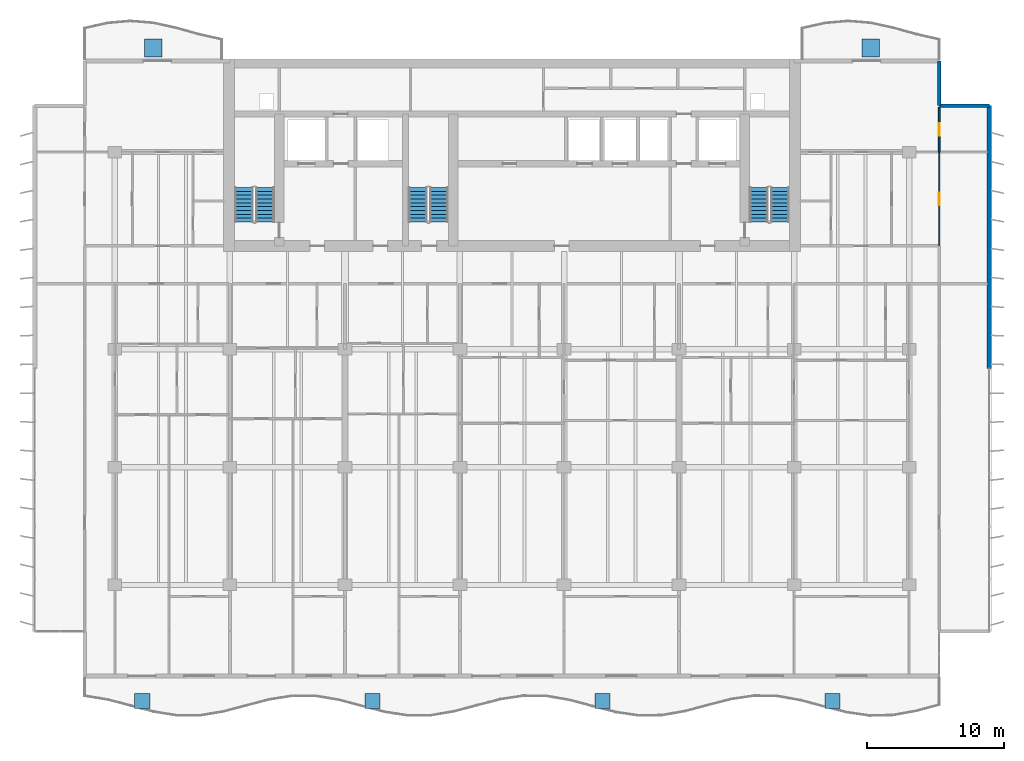
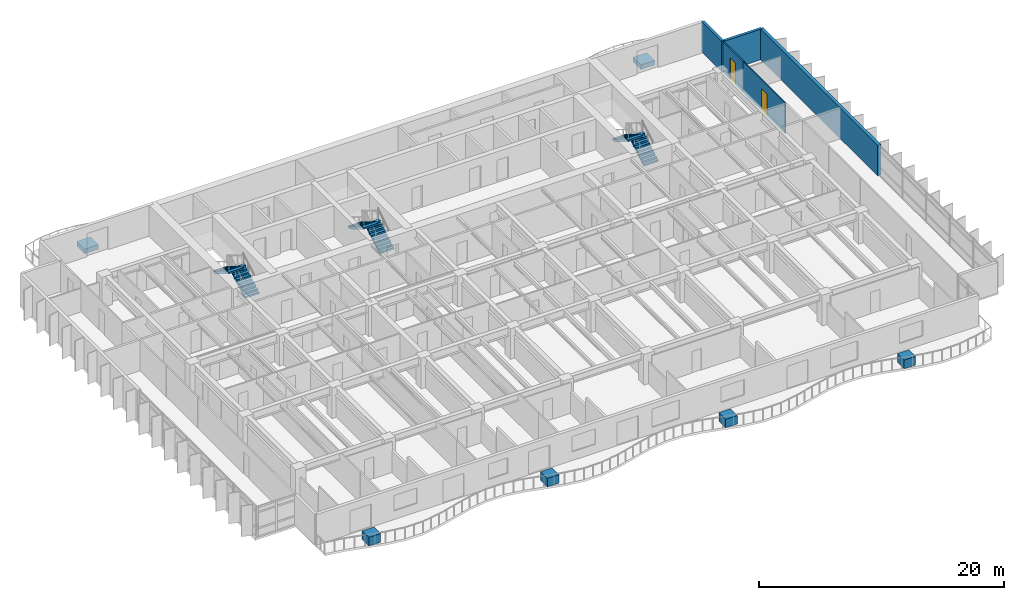
# One storey, part 12 of 16: 6 discrete accessories, 6 stair flights, 5 walls, 2 doors, 2 openings, 3 elements without a shape of their own.
"""IFC4 building model written with IfcOpenShell, lengths in metres."""

from ifc_helpers import new_model, si_unit, direction, frame, frame_2d, origin, origin_2d, place, context, subcontext, project, spatial, polyline, rectangle, outline, extrude, material, layer, layer_set, type_object, element, fill, aggregate, save


model = new_model("IFC4")

# Units and contexts
model_context = context("Model", 3, precision=1e-05, world=origin(), true_north=direction((0.0, 1.0)))
body_context = subcontext(model_context, "Body", "Model", "MODEL_VIEW")
ifc_project = project(units=[si_unit("LENGTHUNIT", "METRE"), si_unit("AREAUNIT", "SQUARE_METRE"), si_unit("VOLUMEUNIT", "CUBIC_METRE"), si_unit("PLANEANGLEUNIT", "RADIAN"), si_unit("MASSUNIT", "GRAM", prefix="KILO")], contexts=[model_context])

# Site, building, storey
site_placement = place(None, origin())
site = spatial("IfcSite", under=ifc_project, at=site_placement, CompositionType="ELEMENT")
building_placement = place(site_placement, origin())
building = spatial("IfcBuilding", under=site, at=building_placement, Name="Caelmar Bay Residences", CompositionType="ELEMENT")
storey_placement = place(building_placement, frame((0.0, 0.0, 142.199951171875)))
storey = spatial("IfcBuildingStorey", under=building, at=storey_placement, Name="L39", CompositionType="ELEMENT", Elevation=142.199951171875)

# Walls
ifc_material_1 = material(Name="Precast concrete f'c 40 MPa (6,000 psi)", Category="concrete")
ifc_layer_1 = layer(ifc_material_1, 0.25)
ifc_layer_set_1 = layer_set([ifc_layer_1], Name="Precast concrete f'c 40 MPa (6,000 psi)")
wall_type_1 = type_object("IfcWallType", Name="W-EXT-250", PredefinedType="ELEMENTEDWALL", material=ifc_layer_set_1)
wall_1_placement = place(storey_placement, frame((70.10009765625, 50.449951171875, 0.0), z_axis=(0.0, 0.0, 1.0), x_axis=(0.0, -1.0, 0.0)))
element("IfcWall", 1, at=wall_1_placement, inside=storey, type_object=wall_type_1, Name="L39 NNE-V Notch Wall", PredefinedType="ELEMENTEDWALL", context=body_context, shape_type="SweptSolid", body=[
    extrude(rectangle(XDim=3.25, YDim=0.25, at=frame_2d((1.625, 0.0))), origin(), (0.0, 0.0, 1.0), 3.050048828125),
])
wall_2_placement = place(storey_placement, frame((70.10009765625, 47.199951171875, 0.0), z_axis=(0.0, 0.0, 1.0), x_axis=(1.0, 0.0, 0.0)))
element("IfcWall", 2, at=wall_2_placement, inside=storey, type_object=wall_type_1, Name="L39 NNE-H Notch Wall", PredefinedType="ELEMENTEDWALL", context=body_context, shape_type="SweptSolid", body=[
    extrude(rectangle(XDim=3.64990234375, YDim=0.25, at=frame_2d((1.824951171875, 0.0))), origin(), (0.0, 0.0, 1.0), 3.050048828125),
])
ifc_layer_2 = layer(ifc_material_1, 0.300048828125)
ifc_layer_set_2 = layer_set([ifc_layer_2], Name="Precast concrete f'c 40 MPa (6,000 psi)")
wall_type_2 = type_object("IfcWallType", Name="W-EXT-300", PredefinedType="STANDARD", material=ifc_layer_set_2)
wall_3_placement = place(storey_placement, frame((73.75, 47.199951171875, 0.0), z_axis=(0.0, 0.0, 1.0), x_axis=(0.0, -1.0, 0.0)))
element("IfcWall", 3, at=wall_3_placement, inside=storey, type_object=wall_type_2, Name="L39 East Rear Exterior Wall", PredefinedType="STANDARD", context=body_context, shape_type="SweptSolid", body=[
    extrude(rectangle(XDim=19.199951171875, YDim=0.300048828125, at=frame_2d((9.60009765625, 0.0))), origin(), (0.0, 0.0, 1.0), 3.050048828125),
])

# Wall, opening, door
ifc_material_2 = material(Name="Anodised bronze framed acoustic sliding study partition 100 mm")
ifc_layer_3 = layer(ifc_material_2, 0.10009765625)
ifc_layer_set_3 = layer_set([ifc_layer_3], Name="Anodised bronze framed acoustic sliding study partition 100 mm")
wall_type_3 = type_object("IfcWallType", Name="W-MOV-100", PredefinedType="MOVABLE", material=ifc_layer_set_3)
wall_4_placement = place(storey_placement, frame((70.10009765625, 36.955078125, 0.0), z_axis=(0.0, 0.0, 1.0), x_axis=(0.0, 1.0, 0.0)))
wall_4 = element("IfcWall", 4, at=wall_4_placement, inside=storey, type_object=wall_type_3, Name="L39 Partition Wall V086", PredefinedType="MOVABLE", context=body_context, shape_type="SweptSolid", body=[
    extrude(rectangle(XDim=6.844970703125, YDim=0.10009765625, at=frame_2d((3.42236328125, 0.0))), origin(), (0.0, 0.0, 1.0), 3.050048828125),
])
opening_1_placement = place(wall_4_placement, frame((2.972412109375, 0.0, 0.0)))
opening_1 = element("IfcOpeningElement", 5, at=opening_1_placement, cuts=wall_4, Name="Opening D-L39-177", PredefinedType="OPENING", context=body_context, shape_type="SweptSolid", body=[
    extrude(rectangle(XDim=0.89990234375, YDim=2.14990234375, at=frame_2d((0.449951171875, 1.074951171875))), frame((0.0, 0.06005859375, 0.0), z_axis=(0.0, -1.0, 0.0), x_axis=(1.0, 0.0, 0.0)), (0.0, 0.0, 1.0), 0.1201171875),
])
ifc_material_3 = material(Name="Solid walnut timber interior door leaf and frame", Category="wood")
ifc_layer_4 = layer(ifc_material_3, 0.050048828125)
ifc_layer_set_4 = layer_set([ifc_layer_4], Name="Solid walnut timber interior door leaf and frame")
door_type = type_object("IfcDoorType", Name="D-ROOM-900", OperationType="NOTDEFINED", PredefinedType="DOOR", material=ifc_layer_set_4)
door_1_placement = place(opening_1_placement, origin())
door_1 = element("IfcDoor", 6, at=door_1_placement, inside=storey, type_object=door_type, Name="L39 Residence EA Sun Study Door", OperationType="SINGLE_SWING_LEFT", OverallHeight=2.14990234375, OverallWidth=0.89990234375, PredefinedType="DOOR", context=body_context, shape_type="SweptSolid", body=[
    extrude(rectangle(XDim=0.89990234375, YDim=2.14990234375, at=frame_2d((0.449951171875, 1.074951171875))), frame((0.0, 0.02490234375, 0.0), z_axis=(0.0, -1.0, 0.0), x_axis=(1.0, 0.0, 0.0)), (0.0, 0.0, 1.0), 0.050048828125),
])
fill(opening_1, door_1)

ifc_material_4 = material(Name="Acoustic metal-stud gypsum partition 120 mm")
ifc_layer_5 = layer(ifc_material_4, 0.1201171875)
ifc_layer_set_5 = layer_set([ifc_layer_5], Name="Acoustic metal-stud gypsum partition 120 mm")
wall_type_4 = type_object("IfcWallType", Name="W-PRT-120", PredefinedType="PARTITIONING", material=ifc_layer_set_5)
wall_5_placement = place(storey_placement, frame((70.10009765625, 43.804931640625, 0.0), z_axis=(0.0, 0.0, 1.0), x_axis=(0.0, 1.0, 0.0)))
wall_5 = element("IfcWall", 7, at=wall_5_placement, inside=storey, type_object=wall_type_4, Name="L39 Partition Wall V087", PredefinedType="PARTITIONING", context=body_context, shape_type="SweptSolid", body=[
    extrude(rectangle(XDim=3.275146484375, YDim=0.1201171875, at=frame_2d((1.6376953125, 0.0))), origin(), (0.0, 0.0, 1.0), 3.050048828125),
])
opening_2_placement = place(wall_5_placement, frame((1.1875, 0.0, 0.0)))
opening_2 = element("IfcOpeningElement", 8, at=opening_2_placement, cuts=wall_5, Name="Opening D-L39-178", PredefinedType="OPENING", context=body_context, shape_type="SweptSolid", body=[
    extrude(rectangle(XDim=0.89990234375, YDim=2.14990234375, at=frame_2d((0.449951171875, 1.074951171875))), frame((0.0, 0.070068359375, 0.0), z_axis=(0.0, -1.0, 0.0), x_axis=(1.0, 0.0, 0.0)), (0.0, 0.0, 1.0), 0.14013671875),
])
door_2_placement = place(opening_2_placement, origin())
door_2 = element("IfcDoor", 9, at=door_2_placement, inside=storey, type_object=door_type, Name="L39 Residence EA North Sitting Alcove Door", OperationType="SINGLE_SWING_RIGHT", OverallHeight=2.14990234375, OverallWidth=0.89990234375, PredefinedType="DOOR", context=body_context, shape_type="SweptSolid", body=[
    extrude(rectangle(XDim=0.89990234375, YDim=2.14990234375, at=frame_2d((0.449951171875, 1.074951171875))), frame((0.0, 0.02490234375, 0.0), z_axis=(0.0, -1.0, 0.0), x_axis=(1.0, 0.0, 0.0)), (0.0, 0.0, 1.0), 0.050048828125),
])
fill(opening_2, door_2)

# Stair, stair flights
ifc_material_5 = material(Name="Concrete f'c 40 MPa (6,000 psi)", Category="concrete")
stair_type = type_object("IfcStairType", Name="ST-TYP-165", PredefinedType="HALF_TURN_STAIR", material=ifc_material_5)
stair_1_placement = place(storey_placement, origin())
stair_1 = element("IfcStair", 10, at=stair_1_placement, inside=storey, type_object=stair_type, Name="L39 West Smokeproof Exit Stair ST1", PredefinedType="HALF_TURN_STAIR")
stair_flight_type = type_object("IfcStairFlightType", Name="STF-1350", PredefinedType="STRAIGHT", material=ifc_material_5)
stair_flight_1_placement = place(storey_placement, frame((20.875, 38.699951171875, 0.0), z_axis=(0.0, 0.0, 1.0), x_axis=(0.0, 1.0, 0.0)))
stair_flight_1 = element("IfcStairFlight", 11, at=stair_flight_1_placement, type_object=stair_flight_type, Name="ST1 flight 1", NumberOfRisers=10, NumberOfTreads=9, PredefinedType="STRAIGHT", RiserHeight=0.165, TreadLength=0.28, context=body_context, shape_type="SweptSolid", body=[
    extrude(outline(polyline([(0.0, 0.0), (0.0, 0.1650390625), (0.280029296875, 0.1650390625), (0.280029296875, 0.330078125), (0.56005859375, 0.330078125), (0.56005859375, 0.4951171875), (0.840087890625, 0.4951171875), (0.840087890625, 0.659912109375), (1.1201171875, 0.659912109375), (1.1201171875, 0.824951171875), (1.39990234375, 0.824951171875), (1.39990234375, 0.989990234375), (1.679931640625, 0.989990234375), (1.679931640625, 1.155029296875), (1.9599609375, 1.155029296875), (1.9599609375, 1.320068359375), (2.239990234375, 1.320068359375), (2.239990234375, 1.485107421875), (2.52001953125, 1.485107421875), (2.52001953125, 1.64990234375), (2.52001953125, 1.31103515625), (0.295166015625, 0.0), (0.0, 0.0)])), frame((0.0, 0.675048828125, 0.0), z_axis=(0.0, -1.0, 0.0), x_axis=(1.0, 0.0, 0.0)), (0.0, 0.0, 1.0), 1.35009765625),
])
stair_flight_2_placement = place(storey_placement, frame((19.324951171875, 41.219970703125, 1.650146484375), z_axis=(0.0, 0.0, 1.0), x_axis=(0.0, -1.0, 0.0)))
stair_flight_2 = element("IfcStairFlight", 12, at=stair_flight_2_placement, type_object=stair_flight_type, Name="ST1 flight 2", NumberOfRisers=10, NumberOfTreads=9, PredefinedType="STRAIGHT", RiserHeight=0.165, TreadLength=0.28, context=body_context, shape_type="SweptSolid", body=[
    extrude(outline(polyline([(0.0, 0.0), (0.0, 0.1650390625), (0.280029296875, 0.1650390625), (0.280029296875, 0.330078125), (0.56005859375, 0.330078125), (0.56005859375, 0.4951171875), (0.840087890625, 0.4951171875), (0.840087890625, 0.659912109375), (1.1201171875, 0.659912109375), (1.1201171875, 0.824951171875), (1.39990234375, 0.824951171875), (1.39990234375, 0.989990234375), (1.679931640625, 0.989990234375), (1.679931640625, 1.155029296875), (1.9599609375, 1.155029296875), (1.9599609375, 1.320068359375), (2.239990234375, 1.320068359375), (2.239990234375, 1.485107421875), (2.52001953125, 1.485107421875), (2.52001953125, 1.64990234375), (2.52001953125, 1.31103515625), (0.295166015625, 0.0), (0.0, 0.0)])), frame((0.0, 0.675048828125, 0.0), z_axis=(0.0, -1.0, 0.0), x_axis=(1.0, 0.0, 0.0)), (0.0, 0.0, 1.0), 1.35009765625),
])
aggregate(stair_1, [stair_flight_1, stair_flight_2])

stair_2_placement = place(storey_placement, origin())
stair_2 = element("IfcStair", 13, at=stair_2_placement, inside=storey, type_object=stair_type, Name="L39 East Smokeproof Exit Stair ST2", PredefinedType="HALF_TURN_STAIR")
stair_flight_3_placement = place(storey_placement, frame((58.47509765625, 38.699951171875, 0.0), z_axis=(0.0, 0.0, 1.0), x_axis=(0.0, 1.0, 0.0)))
stair_flight_3 = element("IfcStairFlight", 14, at=stair_flight_3_placement, type_object=stair_flight_type, Name="ST2 flight 1", NumberOfRisers=10, NumberOfTreads=9, PredefinedType="STRAIGHT", RiserHeight=0.165, TreadLength=0.28, context=body_context, shape_type="SweptSolid", body=[
    extrude(outline(polyline([(0.0, 0.0), (0.0, 0.1650390625), (0.280029296875, 0.1650390625), (0.280029296875, 0.330078125), (0.56005859375, 0.330078125), (0.56005859375, 0.4951171875), (0.840087890625, 0.4951171875), (0.840087890625, 0.659912109375), (1.1201171875, 0.659912109375), (1.1201171875, 0.824951171875), (1.39990234375, 0.824951171875), (1.39990234375, 0.989990234375), (1.679931640625, 0.989990234375), (1.679931640625, 1.155029296875), (1.9599609375, 1.155029296875), (1.9599609375, 1.320068359375), (2.239990234375, 1.320068359375), (2.239990234375, 1.485107421875), (2.52001953125, 1.485107421875), (2.52001953125, 1.64990234375), (2.52001953125, 1.31103515625), (0.295166015625, 0.0), (0.0, 0.0)])), frame((0.0, 0.675048828125, 0.0), z_axis=(0.0, -1.0, 0.0), x_axis=(1.0, 0.0, 0.0)), (0.0, 0.0, 1.0), 1.35009765625),
])
stair_flight_4_placement = place(storey_placement, frame((56.925048828125, 41.219970703125, 1.650146484375), z_axis=(0.0, 0.0, 1.0), x_axis=(0.0, -1.0, 0.0)))
stair_flight_4 = element("IfcStairFlight", 15, at=stair_flight_4_placement, type_object=stair_flight_type, Name="ST2 flight 2", NumberOfRisers=10, NumberOfTreads=9, PredefinedType="STRAIGHT", RiserHeight=0.165, TreadLength=0.28, context=body_context, shape_type="SweptSolid", body=[
    extrude(outline(polyline([(0.0, 0.0), (0.0, 0.1650390625), (0.280029296875, 0.1650390625), (0.280029296875, 0.330078125), (0.56005859375, 0.330078125), (0.56005859375, 0.4951171875), (0.840087890625, 0.4951171875), (0.840087890625, 0.659912109375), (1.1201171875, 0.659912109375), (1.1201171875, 0.824951171875), (1.39990234375, 0.824951171875), (1.39990234375, 0.989990234375), (1.679931640625, 0.989990234375), (1.679931640625, 1.155029296875), (1.9599609375, 1.155029296875), (1.9599609375, 1.320068359375), (2.239990234375, 1.320068359375), (2.239990234375, 1.485107421875), (2.52001953125, 1.485107421875), (2.52001953125, 1.64990234375), (2.52001953125, 1.31103515625), (0.295166015625, 0.0), (0.0, 0.0)])), frame((0.0, 0.675048828125, 0.0), z_axis=(0.0, -1.0, 0.0), x_axis=(1.0, 0.0, 0.0)), (0.0, 0.0, 1.0), 1.35009765625),
])
aggregate(stair_2, [stair_flight_3, stair_flight_4])

stair_3_placement = place(storey_placement, origin())
stair_3 = element("IfcStair", 16, at=stair_3_placement, inside=storey, type_object=stair_type, Name="L39 Central Smokeproof Exit Stair ST3", PredefinedType="HALF_TURN_STAIR")
stair_flight_5_placement = place(storey_placement, frame((33.574951171875, 38.699951171875, 0.0), z_axis=(0.0, 0.0, 1.0), x_axis=(0.0, 1.0, 0.0)))
stair_flight_5 = element("IfcStairFlight", 17, at=stair_flight_5_placement, type_object=stair_flight_type, Name="ST3 flight 1", NumberOfRisers=10, NumberOfTreads=9, PredefinedType="STRAIGHT", RiserHeight=0.165, TreadLength=0.28, context=body_context, shape_type="SweptSolid", body=[
    extrude(outline(polyline([(0.0, 0.0), (0.0, 0.1650390625), (0.280029296875, 0.1650390625), (0.280029296875, 0.330078125), (0.56005859375, 0.330078125), (0.56005859375, 0.4951171875), (0.840087890625, 0.4951171875), (0.840087890625, 0.659912109375), (1.1201171875, 0.659912109375), (1.1201171875, 0.824951171875), (1.39990234375, 0.824951171875), (1.39990234375, 0.989990234375), (1.679931640625, 0.989990234375), (1.679931640625, 1.155029296875), (1.9599609375, 1.155029296875), (1.9599609375, 1.320068359375), (2.239990234375, 1.320068359375), (2.239990234375, 1.485107421875), (2.52001953125, 1.485107421875), (2.52001953125, 1.64990234375), (2.52001953125, 1.31103515625), (0.295166015625, 0.0), (0.0, 0.0)])), frame((0.0, 0.675048828125, 0.0), z_axis=(0.0, -1.0, 0.0), x_axis=(1.0, 0.0, 0.0)), (0.0, 0.0, 1.0), 1.35009765625),
])
stair_flight_6_placement = place(storey_placement, frame((32.02490234375, 41.219970703125, 1.650146484375), z_axis=(0.0, 0.0, 1.0), x_axis=(0.0, -1.0, 0.0)))
stair_flight_6 = element("IfcStairFlight", 18, at=stair_flight_6_placement, type_object=stair_flight_type, Name="ST3 flight 2", NumberOfRisers=10, NumberOfTreads=9, PredefinedType="STRAIGHT", RiserHeight=0.165, TreadLength=0.28, context=body_context, shape_type="SweptSolid", body=[
    extrude(outline(polyline([(0.0, 0.0), (0.0, 0.1650390625), (0.280029296875, 0.1650390625), (0.280029296875, 0.330078125), (0.56005859375, 0.330078125), (0.56005859375, 0.4951171875), (0.840087890625, 0.4951171875), (0.840087890625, 0.659912109375), (1.1201171875, 0.659912109375), (1.1201171875, 0.824951171875), (1.39990234375, 0.824951171875), (1.39990234375, 0.989990234375), (1.679931640625, 0.989990234375), (1.679931640625, 1.155029296875), (1.9599609375, 1.155029296875), (1.9599609375, 1.320068359375), (2.239990234375, 1.320068359375), (2.239990234375, 1.485107421875), (2.52001953125, 1.485107421875), (2.52001953125, 1.64990234375), (2.52001953125, 1.31103515625), (0.295166015625, 0.0), (0.0, 0.0)])), frame((0.0, 0.675048828125, 0.0), z_axis=(0.0, -1.0, 0.0), x_axis=(1.0, 0.0, 0.0)), (0.0, 0.0, 1.0), 1.35009765625),
])
aggregate(stair_3, [stair_flight_5, stair_flight_6])

# Discrete accessories
ifc_material_6 = material(Name="Architectural bronze GRC planter trough with volcanic-lapilli substrate")
discrete_accessory_type_1 = type_object("IfcDiscreteAccessoryType", Name="ACC-PLANTER-1100", PredefinedType="USERDEFINED", material=ifc_material_6)
for number, where, z_axis, x_axis, name in (
    (19, (11.89990234375, 3.71826171875, 0.0), (0.0, 0.0, 1.0), (1.0, 0.0, 0.0), "L39 Balcony Structural Tree Planter 1"),
    (20, (28.699951171875, 3.71826171875, 0.0), (0.0, 0.0, 1.0), (1.0, 0.0, 0.0), "L39 Balcony Structural Tree Planter 2"),
    (21, (45.5, 3.71826171875, 0.0), (0.0, 0.0, 1.0), (1.0, 0.0, 0.0), "L39 Balcony Structural Tree Planter 3"),
    (22, (62.300048828125, 3.71826171875, 0.0), (0.0, 0.0, 1.0), (1.0, 0.0, 0.0), "L39 Balcony Structural Tree Planter 4"),
):
    element("IfcDiscreteAccessory", number, at=place(storey_placement, frame(where, z_axis=z_axis, x_axis=x_axis)), inside=storey, type_object=discrete_accessory_type_1, Name=name, ObjectType="PLANTER", PredefinedType="USERDEFINED", context=body_context, shape_type="SweptSolid", body=[
        extrude(rectangle(XDim=1.10009765625, YDim=1.10009765625, at=origin_2d()), origin(), (0.0, 0.0, 1.0), 0.85009765625),
    ])
discrete_accessory_type_2 = type_object("IfcDiscreteAccessoryType", Name="STR-PLANTER-KERB-450", PredefinedType="USERDEFINED", material=ifc_material_1)
for number, where, z_axis, x_axis, name in (
    (23, (12.699951171875, 51.39990234375, 0.0), (0.0, 0.0, 1.0), (1.0, 0.0, 0.0), "L39 north_west Structural Tree Planter Kerb"),
    (24, (65.10009765625, 51.39990234375, 0.0), (0.0, 0.0, 1.0), (1.0, 0.0, 0.0), "L39 north_east Structural Tree Planter Kerb"),
):
    element("IfcDiscreteAccessory", number, at=place(storey_placement, frame(where, z_axis=z_axis, x_axis=x_axis)), inside=storey, type_object=discrete_accessory_type_2, Name=name, ObjectType="PLANTER", PredefinedType="USERDEFINED", context=body_context, shape_type="SweptSolid", body=[
        extrude(rectangle(XDim=1.300048828125, YDim=1.300048828125, at=origin_2d()), origin(), (0.0, 0.0, 1.0), 0.449951171875),
    ])

save(model, "model.ifc")
